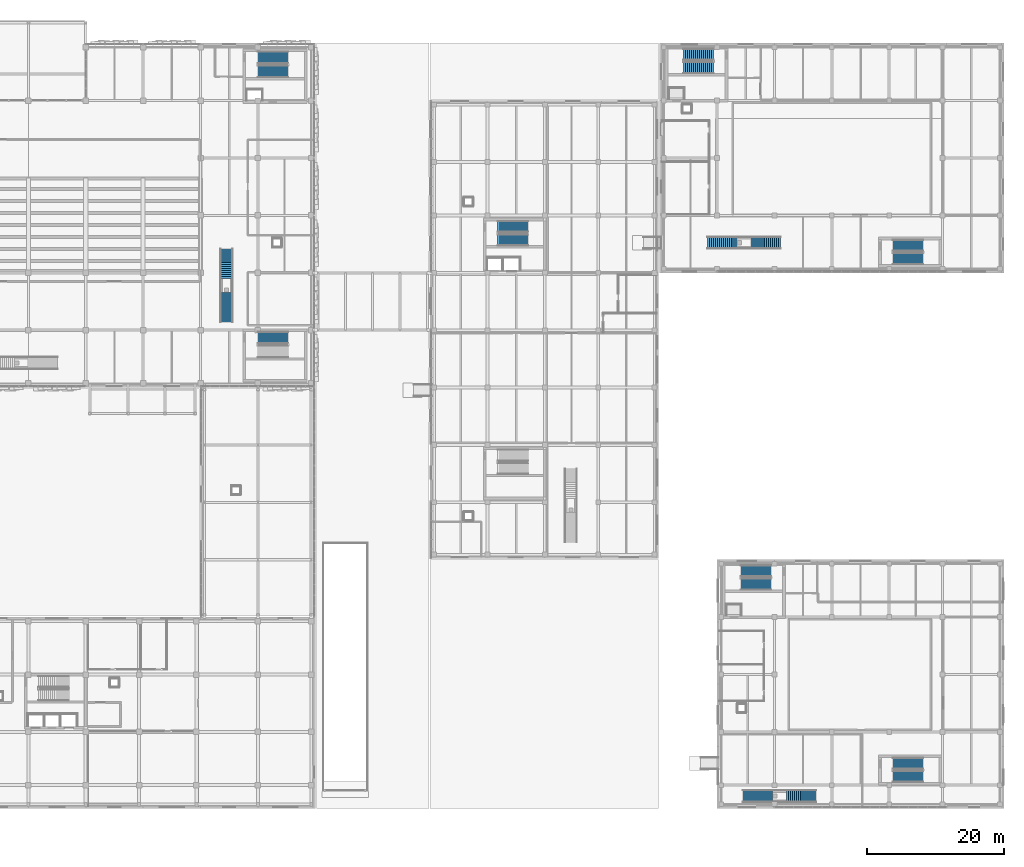
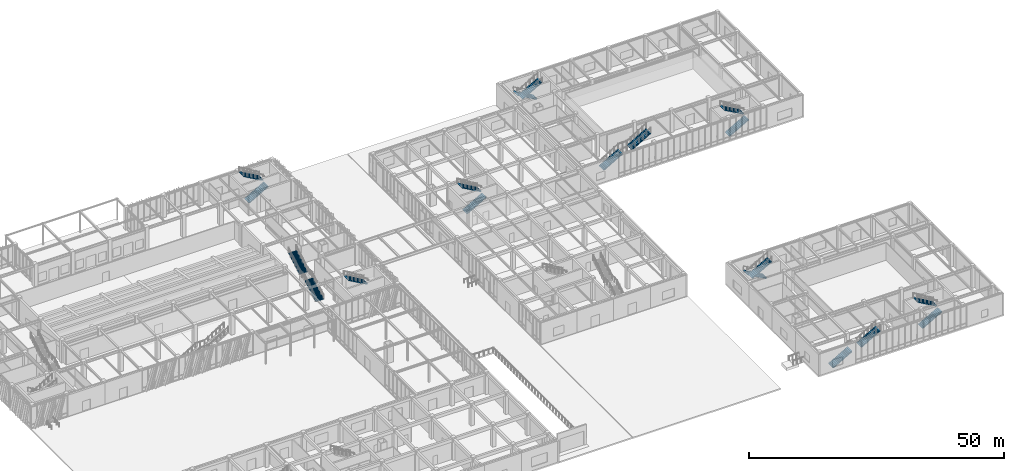
# One storey, part 105 of 122: 19 stair flights, 10 elements without a shape of their own.
"""IFC4 building model written with IfcOpenShell, lengths in metres."""

from ifc_helpers import new_model, si_unit, direction, frame, origin, place, context, subcontext, project, spatial, polyline, outline, extrude, material, type_object, element, aggregate, save


model = new_model("IFC4")

# Units and contexts
model_context = context("Model", 3, precision=1e-05, world=origin(), true_north=direction((0.0, 1.0)))
body_context = subcontext(model_context, "Body", "Model", "MODEL_VIEW")
ifc_project = project(units=[si_unit("LENGTHUNIT", "METRE"), si_unit("AREAUNIT", "SQUARE_METRE"), si_unit("VOLUMEUNIT", "CUBIC_METRE"), si_unit("PLANEANGLEUNIT", "RADIAN"), si_unit("MASSUNIT", "GRAM", prefix="KILO")], contexts=[model_context])

# Site, building, storey
site_placement = place(None, origin())
site = spatial("IfcSite", under=ifc_project, at=site_placement, CompositionType="ELEMENT")
building_placement = place(site_placement, origin())
building = spatial("IfcBuilding", under=site, at=building_placement, Name="Zayran Congress Hotel", CompositionType="ELEMENT")
storey_placement = place(building_placement, origin())
storey = spatial("IfcBuildingStorey", under=building, at=storey_placement, Name="L00", CompositionType="ELEMENT", Elevation=0.0)

# Stair, stair flights
ifc_material = material(Name="Concrete C32/40", Category="concrete")
stair_type_1 = type_object("IfcStairType", Name="TP-STR-1700-54", PredefinedType="USERDEFINED", material=ifc_material)
stair_1_placement = place(storey_placement, origin())
stair_1 = element("IfcStair", 1, at=stair_1_placement, inside=storey, type_object=stair_type_1, Name="L00 ST-07", ObjectType="TWO_RETURN_STAIR", PredefinedType="USERDEFINED")
stair_flight_type_1 = type_object("IfcStairFlightType", Name="TP-STF-1700-54", PredefinedType="STRAIGHT", material=ifc_material)
stair_flight_1_placement = place(storey_placement, frame((119.10009765625, 89.2099609375, 0.0), z_axis=(0.0, 0.0, 1.0), x_axis=(1.0, 0.0, 0.0)))
stair_flight_1 = element("IfcStairFlight", 2, at=stair_flight_1_placement, type_object=stair_flight_type_1, Name="ST-07 flight 1", NumberOfRisers=16, NumberOfTreads=15, PredefinedType="STRAIGHT", RiserHeight=0.16875, TreadLength=0.295, context=body_context, shape_type="SweptSolid", body=[
    extrude(outline(polyline([(0.0, 0.0), (0.0, 0.168701171875), (0.294921875, 0.168701171875), (0.294921875, 0.33740234375), (0.590087890625, 0.33740234375), (0.590087890625, 0.50634765625), (0.885009765625, 0.50634765625), (0.885009765625, 0.675048828125), (1.179931640625, 0.675048828125), (1.179931640625, 0.84375), (1.47509765625, 0.84375), (1.47509765625, 1.012451171875), (1.77001953125, 1.012451171875), (1.77001953125, 1.18115234375), (2.06494140625, 1.18115234375), (2.06494140625, 1.35009765625), (2.360107421875, 1.35009765625), (2.360107421875, 1.518798828125), (2.655029296875, 1.518798828125), (2.655029296875, 1.6875), (2.949951171875, 1.6875), (2.949951171875, 1.856201171875), (3.2451171875, 1.856201171875), (3.2451171875, 2.02490234375), (3.5400390625, 2.02490234375), (3.5400390625, 2.19384765625), (3.8349609375, 2.19384765625), (3.8349609375, 2.362548828125), (4.1298828125, 2.362548828125), (4.1298828125, 2.53125), (4.425048828125, 2.53125), (4.425048828125, 2.699951171875), (4.425048828125, 2.358642578125), (0.302001953125, 0.0), (0.0, 0.0)])), frame((0.0, 0.85009765625, 0.0), z_axis=(0.0, -1.0, 0.0), x_axis=(1.0, 0.0, 0.0)), (0.0, 0.0, 1.0), 1.699951171875),
])
stair_flight_2_placement = place(storey_placement, frame((123.52490234375, 91.14990234375, 2.699951171875), z_axis=(0.0, 0.0, 1.0), x_axis=(-1.0, 0.0, 0.0)))
stair_flight_2 = element("IfcStairFlight", 3, at=stair_flight_2_placement, type_object=stair_flight_type_1, Name="ST-07 flight 2", NumberOfRisers=16, NumberOfTreads=15, PredefinedType="STRAIGHT", RiserHeight=0.16875, TreadLength=0.295, context=body_context, shape_type="SweptSolid", body=[
    extrude(outline(polyline([(0.0, 0.0), (0.0, 0.168701171875), (0.294921875, 0.168701171875), (0.294921875, 0.33740234375), (0.590087890625, 0.33740234375), (0.590087890625, 0.50634765625), (0.885009765625, 0.50634765625), (0.885009765625, 0.675048828125), (1.179931640625, 0.675048828125), (1.179931640625, 0.84375), (1.47509765625, 0.84375), (1.47509765625, 1.012451171875), (1.77001953125, 1.012451171875), (1.77001953125, 1.18115234375), (2.06494140625, 1.18115234375), (2.06494140625, 1.35009765625), (2.360107421875, 1.35009765625), (2.360107421875, 1.518798828125), (2.655029296875, 1.518798828125), (2.655029296875, 1.6875), (2.949951171875, 1.6875), (2.949951171875, 1.856201171875), (3.2451171875, 1.856201171875), (3.2451171875, 2.02490234375), (3.5400390625, 2.02490234375), (3.5400390625, 2.19384765625), (3.8349609375, 2.19384765625), (3.8349609375, 2.362548828125), (4.1298828125, 2.362548828125), (4.1298828125, 2.53125), (4.425048828125, 2.53125), (4.425048828125, 2.699951171875), (4.425048828125, 2.358642578125), (0.302001953125, 0.0), (0.0, 0.0)])), frame((0.0, 0.85009765625, 0.0), z_axis=(0.0, -1.0, 0.0), x_axis=(1.0, 0.0, 0.0)), (0.0, 0.0, 1.0), 1.699951171875),
])
aggregate(stair_1, [stair_flight_1, stair_flight_2])

stair_2_placement = place(storey_placement, origin())
stair_2 = element("IfcStair", 4, at=stair_2_placement, inside=storey, type_object=stair_type_1, Name="L00 ST-09", ObjectType="TWO_RETURN_STAIR", PredefinedType="USERDEFINED")
stair_flight_3_placement = place(storey_placement, frame((150.699951171875, 116.35009765625, 0.0), z_axis=(0.0, 0.0, 1.0), x_axis=(-1.0, 0.0, 0.0)))
stair_flight_3 = element("IfcStairFlight", 5, at=stair_flight_3_placement, type_object=stair_flight_type_1, Name="ST-09 flight 1", NumberOfRisers=16, NumberOfTreads=15, PredefinedType="STRAIGHT", RiserHeight=0.16875, TreadLength=0.295, context=body_context, shape_type="SweptSolid", body=[
    extrude(outline(polyline([(0.0, 0.0), (0.0, 0.168701171875), (0.294921875, 0.168701171875), (0.294921875, 0.33740234375), (0.590087890625, 0.33740234375), (0.590087890625, 0.50634765625), (0.885009765625, 0.50634765625), (0.885009765625, 0.675048828125), (1.179931640625, 0.675048828125), (1.179931640625, 0.84375), (1.47509765625, 0.84375), (1.47509765625, 1.012451171875), (1.77001953125, 1.012451171875), (1.77001953125, 1.18115234375), (2.06494140625, 1.18115234375), (2.06494140625, 1.35009765625), (2.360107421875, 1.35009765625), (2.360107421875, 1.518798828125), (2.655029296875, 1.518798828125), (2.655029296875, 1.6875), (2.949951171875, 1.6875), (2.949951171875, 1.856201171875), (3.2451171875, 1.856201171875), (3.2451171875, 2.02490234375), (3.5400390625, 2.02490234375), (3.5400390625, 2.19384765625), (3.8349609375, 2.19384765625), (3.8349609375, 2.362548828125), (4.1298828125, 2.362548828125), (4.1298828125, 2.53125), (4.425048828125, 2.53125), (4.425048828125, 2.699951171875), (4.425048828125, 2.358642578125), (0.302001953125, 0.0), (0.0, 0.0)])), frame((0.0, 0.85009765625, 0.0), z_axis=(0.0, -1.0, 0.0), x_axis=(1.0, 0.0, 0.0)), (0.0, 0.0, 1.0), 1.699951171875),
])
stair_flight_4_placement = place(storey_placement, frame((146.27490234375, 114.409912109375, 2.699951171875), z_axis=(0.0, 0.0, 1.0), x_axis=(1.0, 0.0, 0.0)))
stair_flight_4 = element("IfcStairFlight", 6, at=stair_flight_4_placement, type_object=stair_flight_type_1, Name="ST-09 flight 2", NumberOfRisers=16, NumberOfTreads=15, PredefinedType="STRAIGHT", RiserHeight=0.16875, TreadLength=0.295, context=body_context, shape_type="SweptSolid", body=[
    extrude(outline(polyline([(0.0, 0.0), (0.0, 0.168701171875), (0.294921875, 0.168701171875), (0.294921875, 0.33740234375), (0.590087890625, 0.33740234375), (0.590087890625, 0.50634765625), (0.885009765625, 0.50634765625), (0.885009765625, 0.675048828125), (1.179931640625, 0.675048828125), (1.179931640625, 0.84375), (1.47509765625, 0.84375), (1.47509765625, 1.012451171875), (1.77001953125, 1.012451171875), (1.77001953125, 1.18115234375), (2.06494140625, 1.18115234375), (2.06494140625, 1.35009765625), (2.360107421875, 1.35009765625), (2.360107421875, 1.518798828125), (2.655029296875, 1.518798828125), (2.655029296875, 1.6875), (2.949951171875, 1.6875), (2.949951171875, 1.856201171875), (3.2451171875, 1.856201171875), (3.2451171875, 2.02490234375), (3.5400390625, 2.02490234375), (3.5400390625, 2.19384765625), (3.8349609375, 2.19384765625), (3.8349609375, 2.362548828125), (4.1298828125, 2.362548828125), (4.1298828125, 2.53125), (4.425048828125, 2.53125), (4.425048828125, 2.699951171875), (4.425048828125, 2.358642578125), (0.302001953125, 0.0), (0.0, 0.0)])), frame((0.0, 0.85009765625, 0.0), z_axis=(0.0, -1.0, 0.0), x_axis=(1.0, 0.0, 0.0)), (0.0, 0.0, 1.0), 1.699951171875),
])
aggregate(stair_2, [stair_flight_3, stair_flight_4])

stair_3_placement = place(storey_placement, origin())
stair_3 = element("IfcStair", 7, at=stair_3_placement, inside=storey, type_object=stair_type_1, Name="L00 ST-10", ObjectType="TWO_RETURN_STAIR", PredefinedType="USERDEFINED")
stair_flight_5_placement = place(storey_placement, frame((176.949951171875, 86.449951171875, 0.0), z_axis=(0.0, 0.0, 1.0), x_axis=(1.0, 0.0, 0.0)))
stair_flight_5 = element("IfcStairFlight", 8, at=stair_flight_5_placement, type_object=stair_flight_type_1, Name="ST-10 flight 1", NumberOfRisers=16, NumberOfTreads=15, PredefinedType="STRAIGHT", RiserHeight=0.16875, TreadLength=0.295, context=body_context, shape_type="SweptSolid", body=[
    extrude(outline(polyline([(0.0, 0.0), (0.0, 0.168701171875), (0.294921875, 0.168701171875), (0.294921875, 0.33740234375), (0.590087890625, 0.33740234375), (0.590087890625, 0.50634765625), (0.885009765625, 0.50634765625), (0.885009765625, 0.675048828125), (1.179931640625, 0.675048828125), (1.179931640625, 0.84375), (1.47509765625, 0.84375), (1.47509765625, 1.012451171875), (1.77001953125, 1.012451171875), (1.77001953125, 1.18115234375), (2.06494140625, 1.18115234375), (2.06494140625, 1.35009765625), (2.360107421875, 1.35009765625), (2.360107421875, 1.518798828125), (2.655029296875, 1.518798828125), (2.655029296875, 1.6875), (2.949951171875, 1.6875), (2.949951171875, 1.856201171875), (3.2451171875, 1.856201171875), (3.2451171875, 2.02490234375), (3.5400390625, 2.02490234375), (3.5400390625, 2.19384765625), (3.8349609375, 2.19384765625), (3.8349609375, 2.362548828125), (4.1298828125, 2.362548828125), (4.1298828125, 2.53125), (4.425048828125, 2.53125), (4.425048828125, 2.699951171875), (4.425048828125, 2.358642578125), (0.302001953125, 0.0), (0.0, 0.0)])), frame((0.0, 0.85009765625, 0.0), z_axis=(0.0, -1.0, 0.0), x_axis=(1.0, 0.0, 0.0)), (0.0, 0.0, 1.0), 1.699951171875),
])
stair_flight_6_placement = place(storey_placement, frame((181.375, 88.389892578125, 2.699951171875), z_axis=(0.0, 0.0, 1.0), x_axis=(-1.0, 0.0, 0.0)))
stair_flight_6 = element("IfcStairFlight", 9, at=stair_flight_6_placement, type_object=stair_flight_type_1, Name="ST-10 flight 2", NumberOfRisers=16, NumberOfTreads=15, PredefinedType="STRAIGHT", RiserHeight=0.16875, TreadLength=0.295, context=body_context, shape_type="SweptSolid", body=[
    extrude(outline(polyline([(0.0, 0.0), (0.0, 0.168701171875), (0.294921875, 0.168701171875), (0.294921875, 0.33740234375), (0.590087890625, 0.33740234375), (0.590087890625, 0.50634765625), (0.885009765625, 0.50634765625), (0.885009765625, 0.675048828125), (1.179931640625, 0.675048828125), (1.179931640625, 0.84375), (1.47509765625, 0.84375), (1.47509765625, 1.012451171875), (1.77001953125, 1.012451171875), (1.77001953125, 1.18115234375), (2.06494140625, 1.18115234375), (2.06494140625, 1.35009765625), (2.360107421875, 1.35009765625), (2.360107421875, 1.518798828125), (2.655029296875, 1.518798828125), (2.655029296875, 1.6875), (2.949951171875, 1.6875), (2.949951171875, 1.856201171875), (3.2451171875, 1.856201171875), (3.2451171875, 2.02490234375), (3.5400390625, 2.02490234375), (3.5400390625, 2.19384765625), (3.8349609375, 2.19384765625), (3.8349609375, 2.362548828125), (4.1298828125, 2.362548828125), (4.1298828125, 2.53125), (4.425048828125, 2.53125), (4.425048828125, 2.699951171875), (4.425048828125, 2.358642578125), (0.302001953125, 0.0), (0.0, 0.0)])), frame((0.0, 0.85009765625, 0.0), z_axis=(0.0, -1.0, 0.0), x_axis=(1.0, 0.0, 0.0)), (0.0, 0.0, 1.0), 1.699951171875),
])
aggregate(stair_3, [stair_flight_5, stair_flight_6])

stair_4_placement = place(storey_placement, origin())
stair_4 = element("IfcStair", 10, at=stair_4_placement, inside=storey, type_object=stair_type_1, Name="L00 ST-11", ObjectType="TWO_RETURN_STAIR", PredefinedType="USERDEFINED")
stair_flight_7_placement = place(storey_placement, frame((159.10009765625, 40.75, 0.0), z_axis=(0.0, 0.0, 1.0), x_axis=(-1.0, 0.0, 0.0)))
stair_flight_7 = element("IfcStairFlight", 11, at=stair_flight_7_placement, type_object=stair_flight_type_1, Name="ST-11 flight 1", NumberOfRisers=16, NumberOfTreads=15, PredefinedType="STRAIGHT", RiserHeight=0.16875, TreadLength=0.295, context=body_context, shape_type="SweptSolid", body=[
    extrude(outline(polyline([(0.0, 0.0), (0.0, 0.168701171875), (0.294921875, 0.168701171875), (0.294921875, 0.33740234375), (0.590087890625, 0.33740234375), (0.590087890625, 0.50634765625), (0.885009765625, 0.50634765625), (0.885009765625, 0.675048828125), (1.179931640625, 0.675048828125), (1.179931640625, 0.84375), (1.47509765625, 0.84375), (1.47509765625, 1.012451171875), (1.77001953125, 1.012451171875), (1.77001953125, 1.18115234375), (2.06494140625, 1.18115234375), (2.06494140625, 1.35009765625), (2.360107421875, 1.35009765625), (2.360107421875, 1.518798828125), (2.655029296875, 1.518798828125), (2.655029296875, 1.6875), (2.949951171875, 1.6875), (2.949951171875, 1.856201171875), (3.2451171875, 1.856201171875), (3.2451171875, 2.02490234375), (3.5400390625, 2.02490234375), (3.5400390625, 2.19384765625), (3.8349609375, 2.19384765625), (3.8349609375, 2.362548828125), (4.1298828125, 2.362548828125), (4.1298828125, 2.53125), (4.425048828125, 2.53125), (4.425048828125, 2.699951171875), (4.425048828125, 2.358642578125), (0.302001953125, 0.0), (0.0, 0.0)])), frame((0.0, 0.85009765625, 0.0), z_axis=(0.0, -1.0, 0.0), x_axis=(1.0, 0.0, 0.0)), (0.0, 0.0, 1.0), 1.699951171875),
])
stair_flight_8_placement = place(storey_placement, frame((154.675048828125, 38.81005859375, 2.699951171875), z_axis=(0.0, 0.0, 1.0), x_axis=(1.0, 0.0, 0.0)))
stair_flight_8 = element("IfcStairFlight", 12, at=stair_flight_8_placement, type_object=stair_flight_type_1, Name="ST-11 flight 2", NumberOfRisers=16, NumberOfTreads=15, PredefinedType="STRAIGHT", RiserHeight=0.16875, TreadLength=0.295, context=body_context, shape_type="SweptSolid", body=[
    extrude(outline(polyline([(0.0, 0.0), (0.0, 0.168701171875), (0.294921875, 0.168701171875), (0.294921875, 0.33740234375), (0.590087890625, 0.33740234375), (0.590087890625, 0.50634765625), (0.885009765625, 0.50634765625), (0.885009765625, 0.675048828125), (1.179931640625, 0.675048828125), (1.179931640625, 0.84375), (1.47509765625, 0.84375), (1.47509765625, 1.012451171875), (1.77001953125, 1.012451171875), (1.77001953125, 1.18115234375), (2.06494140625, 1.18115234375), (2.06494140625, 1.35009765625), (2.360107421875, 1.35009765625), (2.360107421875, 1.518798828125), (2.655029296875, 1.518798828125), (2.655029296875, 1.6875), (2.949951171875, 1.6875), (2.949951171875, 1.856201171875), (3.2451171875, 1.856201171875), (3.2451171875, 2.02490234375), (3.5400390625, 2.02490234375), (3.5400390625, 2.19384765625), (3.8349609375, 2.19384765625), (3.8349609375, 2.362548828125), (4.1298828125, 2.362548828125), (4.1298828125, 2.53125), (4.425048828125, 2.53125), (4.425048828125, 2.699951171875), (4.425048828125, 2.358642578125), (0.302001953125, 0.0), (0.0, 0.0)])), frame((0.0, 0.85009765625, 0.0), z_axis=(0.0, -1.0, 0.0), x_axis=(1.0, 0.0, 0.0)), (0.0, 0.0, 1.0), 1.699951171875),
])
aggregate(stair_4, [stair_flight_7, stair_flight_8])

stair_5_placement = place(storey_placement, origin())
stair_5 = element("IfcStair", 13, at=stair_5_placement, inside=storey, type_object=stair_type_1, Name="L00 ST-12", ObjectType="TWO_RETURN_STAIR", PredefinedType="USERDEFINED")
stair_flight_9_placement = place(storey_placement, frame((176.949951171875, 10.64990234375, 0.0), z_axis=(0.0, 0.0, 1.0), x_axis=(1.0, 0.0, 0.0)))
stair_flight_9 = element("IfcStairFlight", 14, at=stair_flight_9_placement, type_object=stair_flight_type_1, Name="ST-12 flight 1", NumberOfRisers=16, NumberOfTreads=15, PredefinedType="STRAIGHT", RiserHeight=0.16875, TreadLength=0.295, context=body_context, shape_type="SweptSolid", body=[
    extrude(outline(polyline([(0.0, 0.0), (0.0, 0.168701171875), (0.294921875, 0.168701171875), (0.294921875, 0.33740234375), (0.590087890625, 0.33740234375), (0.590087890625, 0.50634765625), (0.885009765625, 0.50634765625), (0.885009765625, 0.675048828125), (1.179931640625, 0.675048828125), (1.179931640625, 0.84375), (1.47509765625, 0.84375), (1.47509765625, 1.012451171875), (1.77001953125, 1.012451171875), (1.77001953125, 1.18115234375), (2.06494140625, 1.18115234375), (2.06494140625, 1.35009765625), (2.360107421875, 1.35009765625), (2.360107421875, 1.518798828125), (2.655029296875, 1.518798828125), (2.655029296875, 1.6875), (2.949951171875, 1.6875), (2.949951171875, 1.856201171875), (3.2451171875, 1.856201171875), (3.2451171875, 2.02490234375), (3.5400390625, 2.02490234375), (3.5400390625, 2.19384765625), (3.8349609375, 2.19384765625), (3.8349609375, 2.362548828125), (4.1298828125, 2.362548828125), (4.1298828125, 2.53125), (4.425048828125, 2.53125), (4.425048828125, 2.699951171875), (4.425048828125, 2.358642578125), (0.302001953125, 0.0), (0.0, 0.0)])), frame((0.0, 0.85009765625, 0.0), z_axis=(0.0, -1.0, 0.0), x_axis=(1.0, 0.0, 0.0)), (0.0, 0.0, 1.0), 1.699951171875),
])
stair_flight_10_placement = place(storey_placement, frame((181.375, 12.590087890625, 2.699951171875), z_axis=(0.0, 0.0, 1.0), x_axis=(-1.0, 0.0, 0.0)))
stair_flight_10 = element("IfcStairFlight", 15, at=stair_flight_10_placement, type_object=stair_flight_type_1, Name="ST-12 flight 2", NumberOfRisers=16, NumberOfTreads=15, PredefinedType="STRAIGHT", RiserHeight=0.16875, TreadLength=0.295, context=body_context, shape_type="SweptSolid", body=[
    extrude(outline(polyline([(0.0, 0.0), (0.0, 0.168701171875), (0.294921875, 0.168701171875), (0.294921875, 0.33740234375), (0.590087890625, 0.33740234375), (0.590087890625, 0.50634765625), (0.885009765625, 0.50634765625), (0.885009765625, 0.675048828125), (1.179931640625, 0.675048828125), (1.179931640625, 0.84375), (1.47509765625, 0.84375), (1.47509765625, 1.012451171875), (1.77001953125, 1.012451171875), (1.77001953125, 1.18115234375), (2.06494140625, 1.18115234375), (2.06494140625, 1.35009765625), (2.360107421875, 1.35009765625), (2.360107421875, 1.518798828125), (2.655029296875, 1.518798828125), (2.655029296875, 1.6875), (2.949951171875, 1.6875), (2.949951171875, 1.856201171875), (3.2451171875, 1.856201171875), (3.2451171875, 2.02490234375), (3.5400390625, 2.02490234375), (3.5400390625, 2.19384765625), (3.8349609375, 2.19384765625), (3.8349609375, 2.362548828125), (4.1298828125, 2.362548828125), (4.1298828125, 2.53125), (4.425048828125, 2.53125), (4.425048828125, 2.699951171875), (4.425048828125, 2.358642578125), (0.302001953125, 0.0), (0.0, 0.0)])), frame((0.0, 0.85009765625, 0.0), z_axis=(0.0, -1.0, 0.0), x_axis=(1.0, 0.0, 0.0)), (0.0, 0.0, 1.0), 1.699951171875),
])
aggregate(stair_5, [stair_flight_9, stair_flight_10])

stair_type_2 = type_object("IfcStairType", Name="TP-STR-1800-54", PredefinedType="USERDEFINED", material=ifc_material)
stair_6_placement = place(storey_placement, origin())
stair_6 = element("IfcStair", 16, at=stair_6_placement, inside=storey, type_object=stair_type_2, Name="L00 ST-04", ObjectType="TWO_RETURN_STAIR", PredefinedType="USERDEFINED")
stair_flight_type_2 = type_object("IfcStairFlightType", Name="TP-STF-1800-54", PredefinedType="STRAIGHT", material=ifc_material)
stair_flight_11_placement = place(storey_placement, frame((84.0, 113.860107421875, 0.0), z_axis=(0.0, 0.0, 1.0), x_axis=(1.0, 0.0, 0.0)))
stair_flight_11 = element("IfcStairFlight", 17, at=stair_flight_11_placement, type_object=stair_flight_type_2, Name="ST-04 flight 1", NumberOfRisers=16, NumberOfTreads=15, PredefinedType="STRAIGHT", RiserHeight=0.16875, TreadLength=0.295, context=body_context, shape_type="SweptSolid", body=[
    extrude(outline(polyline([(0.0, 0.0), (0.0, 0.168701171875), (0.294921875, 0.168701171875), (0.294921875, 0.33740234375), (0.590087890625, 0.33740234375), (0.590087890625, 0.50634765625), (0.885009765625, 0.50634765625), (0.885009765625, 0.675048828125), (1.179931640625, 0.675048828125), (1.179931640625, 0.84375), (1.47509765625, 0.84375), (1.47509765625, 1.012451171875), (1.77001953125, 1.012451171875), (1.77001953125, 1.18115234375), (2.06494140625, 1.18115234375), (2.06494140625, 1.35009765625), (2.360107421875, 1.35009765625), (2.360107421875, 1.518798828125), (2.655029296875, 1.518798828125), (2.655029296875, 1.6875), (2.949951171875, 1.6875), (2.949951171875, 1.856201171875), (3.2451171875, 1.856201171875), (3.2451171875, 2.02490234375), (3.5400390625, 2.02490234375), (3.5400390625, 2.19384765625), (3.8349609375, 2.19384765625), (3.8349609375, 2.362548828125), (4.1298828125, 2.362548828125), (4.1298828125, 2.53125), (4.425048828125, 2.53125), (4.425048828125, 2.699951171875), (4.425048828125, 2.358642578125), (0.302001953125, 0.0), (0.0, 0.0)])), frame((0.0, 0.89990234375, 0.0), z_axis=(0.0, -1.0, 0.0), x_axis=(1.0, 0.0, 0.0)), (0.0, 0.0, 1.0), 1.800048828125),
])
stair_flight_12_placement = place(storey_placement, frame((88.425048828125, 115.89990234375, 2.699951171875), z_axis=(0.0, 0.0, 1.0), x_axis=(-1.0, 0.0, 0.0)))
stair_flight_12 = element("IfcStairFlight", 18, at=stair_flight_12_placement, type_object=stair_flight_type_2, Name="ST-04 flight 2", NumberOfRisers=16, NumberOfTreads=15, PredefinedType="STRAIGHT", RiserHeight=0.16875, TreadLength=0.295, context=body_context, shape_type="SweptSolid", body=[
    extrude(outline(polyline([(0.0, 0.0), (0.0, 0.168701171875), (0.294921875, 0.168701171875), (0.294921875, 0.33740234375), (0.590087890625, 0.33740234375), (0.590087890625, 0.50634765625), (0.885009765625, 0.50634765625), (0.885009765625, 0.675048828125), (1.179931640625, 0.675048828125), (1.179931640625, 0.84375), (1.47509765625, 0.84375), (1.47509765625, 1.012451171875), (1.77001953125, 1.012451171875), (1.77001953125, 1.18115234375), (2.06494140625, 1.18115234375), (2.06494140625, 1.35009765625), (2.360107421875, 1.35009765625), (2.360107421875, 1.518798828125), (2.655029296875, 1.518798828125), (2.655029296875, 1.6875), (2.949951171875, 1.6875), (2.949951171875, 1.856201171875), (3.2451171875, 1.856201171875), (3.2451171875, 2.02490234375), (3.5400390625, 2.02490234375), (3.5400390625, 2.19384765625), (3.8349609375, 2.19384765625), (3.8349609375, 2.362548828125), (4.1298828125, 2.362548828125), (4.1298828125, 2.53125), (4.425048828125, 2.53125), (4.425048828125, 2.699951171875), (4.425048828125, 2.358642578125), (0.302001953125, 0.0), (0.0, 0.0)])), frame((0.0, 0.89990234375, 0.0), z_axis=(0.0, -1.0, 0.0), x_axis=(1.0, 0.0, 0.0)), (0.0, 0.0, 1.0), 1.800048828125),
])
aggregate(stair_6, [stair_flight_11, stair_flight_12])

# Stair, stair flight
stair_7_placement = place(storey_placement, origin())
stair_7 = element("IfcStair", 19, at=stair_7_placement, inside=storey, type_object=stair_type_2, Name="L00 ST-06", ObjectType="TWO_RETURN_STAIR", PredefinedType="USERDEFINED")
stair_flight_13_placement = place(storey_placement, frame((88.425048828125, 74.89990234375, 2.699951171875), z_axis=(0.0, 0.0, 1.0), x_axis=(-1.0, 0.0, 0.0)))
stair_flight_13 = element("IfcStairFlight", 20, at=stair_flight_13_placement, type_object=stair_flight_type_2, Name="ST-06 flight 2", NumberOfRisers=16, NumberOfTreads=15, PredefinedType="STRAIGHT", RiserHeight=0.16875, TreadLength=0.295, context=body_context, shape_type="SweptSolid", body=[
    extrude(outline(polyline([(0.0, 0.0), (0.0, 0.168701171875), (0.294921875, 0.168701171875), (0.294921875, 0.33740234375), (0.590087890625, 0.33740234375), (0.590087890625, 0.50634765625), (0.885009765625, 0.50634765625), (0.885009765625, 0.675048828125), (1.179931640625, 0.675048828125), (1.179931640625, 0.84375), (1.47509765625, 0.84375), (1.47509765625, 1.012451171875), (1.77001953125, 1.012451171875), (1.77001953125, 1.18115234375), (2.06494140625, 1.18115234375), (2.06494140625, 1.35009765625), (2.360107421875, 1.35009765625), (2.360107421875, 1.518798828125), (2.655029296875, 1.518798828125), (2.655029296875, 1.6875), (2.949951171875, 1.6875), (2.949951171875, 1.856201171875), (3.2451171875, 1.856201171875), (3.2451171875, 2.02490234375), (3.5400390625, 2.02490234375), (3.5400390625, 2.19384765625), (3.8349609375, 2.19384765625), (3.8349609375, 2.362548828125), (4.1298828125, 2.362548828125), (4.1298828125, 2.53125), (4.425048828125, 2.53125), (4.425048828125, 2.699951171875), (4.425048828125, 2.358642578125), (0.302001953125, 0.0), (0.0, 0.0)])), frame((0.0, 0.89990234375, 0.0), z_axis=(0.0, -1.0, 0.0), x_axis=(1.0, 0.0, 0.0)), (0.0, 0.0, 1.0), 1.800048828125),
])
aggregate(stair_7, [stair_flight_13])

# Stair, stair flights
stair_type_3 = type_object("IfcStairType", Name="TP-STR-VOM", PredefinedType="STRAIGHT_RUN_STAIR", material=ifc_material)
stair_8_placement = place(storey_placement, origin())
stair_8 = element("IfcStair", 21, at=stair_8_placement, inside=storey, type_object=stair_type_3, Name="Straight Run Concourse Stair ST-VOM-02", PredefinedType="STRAIGHT_RUN_STAIR")
stair_flight_type_3 = type_object("IfcStairFlightType", Name="TP-STF-VOM", PredefinedType="STRAIGHT", material=ifc_material)
stair_flight_14_placement = place(storey_placement, frame((79.39990234375, 77.199951171875, 0.0), z_axis=(0.0, 0.0, 1.0), x_axis=(0.0, 1.0, 0.0)))
stair_flight_14 = element("IfcStairFlight", 22, at=stair_flight_14_placement, type_object=stair_flight_type_3, Name="ST-VOM-02 flight 1", NumberOfRisers=16, NumberOfTreads=15, PredefinedType="STRAIGHT", RiserHeight=0.16875, TreadLength=0.29, context=body_context, shape_type="SweptSolid", body=[
    extrude(outline(polyline([(0.0, 0.0), (0.0, 0.168701171875), (0.2900390625, 0.168701171875), (0.2900390625, 0.33740234375), (0.580078125, 0.33740234375), (0.580078125, 0.50634765625), (0.8701171875, 0.50634765625), (0.8701171875, 0.675048828125), (1.159912109375, 0.675048828125), (1.159912109375, 0.84375), (1.449951171875, 0.84375), (1.449951171875, 1.012451171875), (1.739990234375, 1.012451171875), (1.739990234375, 1.18115234375), (2.030029296875, 1.18115234375), (2.030029296875, 1.35009765625), (2.320068359375, 1.35009765625), (2.320068359375, 1.518798828125), (2.610107421875, 1.518798828125), (2.610107421875, 1.6875), (2.89990234375, 1.6875), (2.89990234375, 1.856201171875), (3.18994140625, 1.856201171875), (3.18994140625, 2.02490234375), (3.47998046875, 2.02490234375), (3.47998046875, 2.19384765625), (3.77001953125, 2.19384765625), (3.77001953125, 2.362548828125), (4.06005859375, 2.362548828125), (4.06005859375, 2.53125), (4.35009765625, 2.53125), (4.35009765625, 2.699951171875), (4.35009765625, 2.322998046875), (0.357666015625, 0.0), (0.0, 0.0)])), frame((0.0, 0.89990234375, 0.0), z_axis=(0.0, -1.0, 0.0), x_axis=(1.0, 0.0, 0.0)), (0.0, 0.0, 1.0), 1.800048828125),
])
stair_flight_15_placement = place(storey_placement, frame((79.39990234375, 83.550048828125, 2.699951171875), z_axis=(0.0, 0.0, 1.0), x_axis=(0.0, 1.0, 0.0)))
stair_flight_15 = element("IfcStairFlight", 23, at=stair_flight_15_placement, type_object=stair_flight_type_3, Name="ST-VOM-02 flight 2", NumberOfRisers=16, NumberOfTreads=15, PredefinedType="STRAIGHT", RiserHeight=0.16875, TreadLength=0.29, context=body_context, shape_type="SweptSolid", body=[
    extrude(outline(polyline([(0.0, 0.0), (0.0, 0.168701171875), (0.2900390625, 0.168701171875), (0.2900390625, 0.33740234375), (0.580078125, 0.33740234375), (0.580078125, 0.50634765625), (0.8701171875, 0.50634765625), (0.8701171875, 0.675048828125), (1.159912109375, 0.675048828125), (1.159912109375, 0.84375), (1.449951171875, 0.84375), (1.449951171875, 1.012451171875), (1.739990234375, 1.012451171875), (1.739990234375, 1.18115234375), (2.030029296875, 1.18115234375), (2.030029296875, 1.35009765625), (2.320068359375, 1.35009765625), (2.320068359375, 1.518798828125), (2.610107421875, 1.518798828125), (2.610107421875, 1.6875), (2.89990234375, 1.6875), (2.89990234375, 1.856201171875), (3.18994140625, 1.856201171875), (3.18994140625, 2.02490234375), (3.47998046875, 2.02490234375), (3.47998046875, 2.19384765625), (3.77001953125, 2.19384765625), (3.77001953125, 2.362548828125), (4.06005859375, 2.362548828125), (4.06005859375, 2.53125), (4.35009765625, 2.53125), (4.35009765625, 2.699951171875), (4.35009765625, 2.322998046875), (0.357666015625, 0.0), (0.0, 0.0)])), frame((0.0, 0.89990234375, 0.0), z_axis=(0.0, -1.0, 0.0), x_axis=(1.0, 0.0, 0.0)), (0.0, 0.0, 1.0), 1.800048828125),
])
aggregate(stair_8, [stair_flight_14, stair_flight_15])

stair_9_placement = place(storey_placement, origin())
stair_9 = element("IfcStair", 24, at=stair_9_placement, inside=storey, type_object=stair_type_3, Name="Straight Run Concourse Stair ST-BAL-04", PredefinedType="STRAIGHT_RUN_STAIR")
stair_flight_16_placement = place(storey_placement, frame((149.800048828125, 88.800048828125, 0.0), z_axis=(0.0, 0.0, 1.0), x_axis=(1.0, 0.0, 0.0)))
stair_flight_16 = element("IfcStairFlight", 25, at=stair_flight_16_placement, type_object=stair_flight_type_3, Name="ST-BAL-04 flight 1", NumberOfRisers=16, NumberOfTreads=15, PredefinedType="STRAIGHT", RiserHeight=0.16875, TreadLength=0.29, context=body_context, shape_type="SweptSolid", body=[
    extrude(outline(polyline([(0.0, 0.0), (0.0, 0.168701171875), (0.2900390625, 0.168701171875), (0.2900390625, 0.33740234375), (0.580078125, 0.33740234375), (0.580078125, 0.50634765625), (0.8701171875, 0.50634765625), (0.8701171875, 0.675048828125), (1.159912109375, 0.675048828125), (1.159912109375, 0.84375), (1.449951171875, 0.84375), (1.449951171875, 1.012451171875), (1.739990234375, 1.012451171875), (1.739990234375, 1.18115234375), (2.030029296875, 1.18115234375), (2.030029296875, 1.35009765625), (2.320068359375, 1.35009765625), (2.320068359375, 1.518798828125), (2.610107421875, 1.518798828125), (2.610107421875, 1.6875), (2.89990234375, 1.6875), (2.89990234375, 1.856201171875), (3.18994140625, 1.856201171875), (3.18994140625, 2.02490234375), (3.47998046875, 2.02490234375), (3.47998046875, 2.19384765625), (3.77001953125, 2.19384765625), (3.77001953125, 2.362548828125), (4.06005859375, 2.362548828125), (4.06005859375, 2.53125), (4.35009765625, 2.53125), (4.35009765625, 2.699951171875), (4.35009765625, 2.322998046875), (0.357666015625, 0.0), (0.0, 0.0)])), frame((0.0, 0.89990234375, 0.0), z_axis=(0.0, -1.0, 0.0), x_axis=(1.0, 0.0, 0.0)), (0.0, 0.0, 1.0), 1.800048828125),
])
stair_flight_17_placement = place(storey_placement, frame((156.14990234375, 88.800048828125, 2.699951171875), z_axis=(0.0, 0.0, 1.0), x_axis=(1.0, 0.0, 0.0)))
stair_flight_17 = element("IfcStairFlight", 26, at=stair_flight_17_placement, type_object=stair_flight_type_3, Name="ST-BAL-04 flight 2", NumberOfRisers=16, NumberOfTreads=15, PredefinedType="STRAIGHT", RiserHeight=0.16875, TreadLength=0.29, context=body_context, shape_type="SweptSolid", body=[
    extrude(outline(polyline([(0.0, 0.0), (0.0, 0.168701171875), (0.2900390625, 0.168701171875), (0.2900390625, 0.33740234375), (0.580078125, 0.33740234375), (0.580078125, 0.50634765625), (0.8701171875, 0.50634765625), (0.8701171875, 0.675048828125), (1.159912109375, 0.675048828125), (1.159912109375, 0.84375), (1.449951171875, 0.84375), (1.449951171875, 1.012451171875), (1.739990234375, 1.012451171875), (1.739990234375, 1.18115234375), (2.030029296875, 1.18115234375), (2.030029296875, 1.35009765625), (2.320068359375, 1.35009765625), (2.320068359375, 1.518798828125), (2.610107421875, 1.518798828125), (2.610107421875, 1.6875), (2.89990234375, 1.6875), (2.89990234375, 1.856201171875), (3.18994140625, 1.856201171875), (3.18994140625, 2.02490234375), (3.47998046875, 2.02490234375), (3.47998046875, 2.19384765625), (3.77001953125, 2.19384765625), (3.77001953125, 2.362548828125), (4.06005859375, 2.362548828125), (4.06005859375, 2.53125), (4.35009765625, 2.53125), (4.35009765625, 2.699951171875), (4.35009765625, 2.322998046875), (0.357666015625, 0.0), (0.0, 0.0)])), frame((0.0, 0.89990234375, 0.0), z_axis=(0.0, -1.0, 0.0), x_axis=(1.0, 0.0, 0.0)), (0.0, 0.0, 1.0), 1.800048828125),
])
aggregate(stair_9, [stair_flight_16, stair_flight_17])

stair_10_placement = place(storey_placement, origin())
stair_10 = element("IfcStair", 27, at=stair_10_placement, inside=storey, type_object=stair_type_3, Name="Straight Run Concourse Stair ST-SPA-05", PredefinedType="STRAIGHT_RUN_STAIR")
stair_flight_18_placement = place(storey_placement, frame((155.0, 7.800048828125, 0.0), z_axis=(0.0, 0.0, 1.0), x_axis=(1.0, 0.0, 0.0)))
stair_flight_18 = element("IfcStairFlight", 28, at=stair_flight_18_placement, type_object=stair_flight_type_3, Name="ST-SPA-05 flight 1", NumberOfRisers=16, NumberOfTreads=15, PredefinedType="STRAIGHT", RiserHeight=0.16875, TreadLength=0.29, context=body_context, shape_type="SweptSolid", body=[
    extrude(outline(polyline([(0.0, 0.0), (0.0, 0.168701171875), (0.2900390625, 0.168701171875), (0.2900390625, 0.33740234375), (0.580078125, 0.33740234375), (0.580078125, 0.50634765625), (0.8701171875, 0.50634765625), (0.8701171875, 0.675048828125), (1.159912109375, 0.675048828125), (1.159912109375, 0.84375), (1.449951171875, 0.84375), (1.449951171875, 1.012451171875), (1.739990234375, 1.012451171875), (1.739990234375, 1.18115234375), (2.030029296875, 1.18115234375), (2.030029296875, 1.35009765625), (2.320068359375, 1.35009765625), (2.320068359375, 1.518798828125), (2.610107421875, 1.518798828125), (2.610107421875, 1.6875), (2.89990234375, 1.6875), (2.89990234375, 1.856201171875), (3.18994140625, 1.856201171875), (3.18994140625, 2.02490234375), (3.47998046875, 2.02490234375), (3.47998046875, 2.19384765625), (3.77001953125, 2.19384765625), (3.77001953125, 2.362548828125), (4.06005859375, 2.362548828125), (4.06005859375, 2.53125), (4.35009765625, 2.53125), (4.35009765625, 2.699951171875), (4.35009765625, 2.322998046875), (0.357666015625, 0.0), (0.0, 0.0)])), frame((0.0, 0.89990234375, 0.0), z_axis=(0.0, -1.0, 0.0), x_axis=(1.0, 0.0, 0.0)), (0.0, 0.0, 1.0), 1.800048828125),
])
stair_flight_19_placement = place(storey_placement, frame((161.35009765625, 7.800048828125, 2.699951171875), z_axis=(0.0, 0.0, 1.0), x_axis=(1.0, 0.0, 0.0)))
stair_flight_19 = element("IfcStairFlight", 29, at=stair_flight_19_placement, type_object=stair_flight_type_3, Name="ST-SPA-05 flight 2", NumberOfRisers=16, NumberOfTreads=15, PredefinedType="STRAIGHT", RiserHeight=0.16875, TreadLength=0.29, context=body_context, shape_type="SweptSolid", body=[
    extrude(outline(polyline([(0.0, 0.0), (0.0, 0.168701171875), (0.2900390625, 0.168701171875), (0.2900390625, 0.33740234375), (0.580078125, 0.33740234375), (0.580078125, 0.50634765625), (0.8701171875, 0.50634765625), (0.8701171875, 0.675048828125), (1.159912109375, 0.675048828125), (1.159912109375, 0.84375), (1.449951171875, 0.84375), (1.449951171875, 1.012451171875), (1.739990234375, 1.012451171875), (1.739990234375, 1.18115234375), (2.030029296875, 1.18115234375), (2.030029296875, 1.35009765625), (2.320068359375, 1.35009765625), (2.320068359375, 1.518798828125), (2.610107421875, 1.518798828125), (2.610107421875, 1.6875), (2.89990234375, 1.6875), (2.89990234375, 1.856201171875), (3.18994140625, 1.856201171875), (3.18994140625, 2.02490234375), (3.47998046875, 2.02490234375), (3.47998046875, 2.19384765625), (3.77001953125, 2.19384765625), (3.77001953125, 2.362548828125), (4.06005859375, 2.362548828125), (4.06005859375, 2.53125), (4.35009765625, 2.53125), (4.35009765625, 2.699951171875), (4.35009765625, 2.322998046875), (0.357666015625, 0.0), (0.0, 0.0)])), frame((0.0, 0.89990234375, 0.0), z_axis=(0.0, -1.0, 0.0), x_axis=(1.0, 0.0, 0.0)), (0.0, 0.0, 1.0), 1.800048828125),
])
aggregate(stair_10, [stair_flight_18, stair_flight_19])

save(model, "model.ifc")
